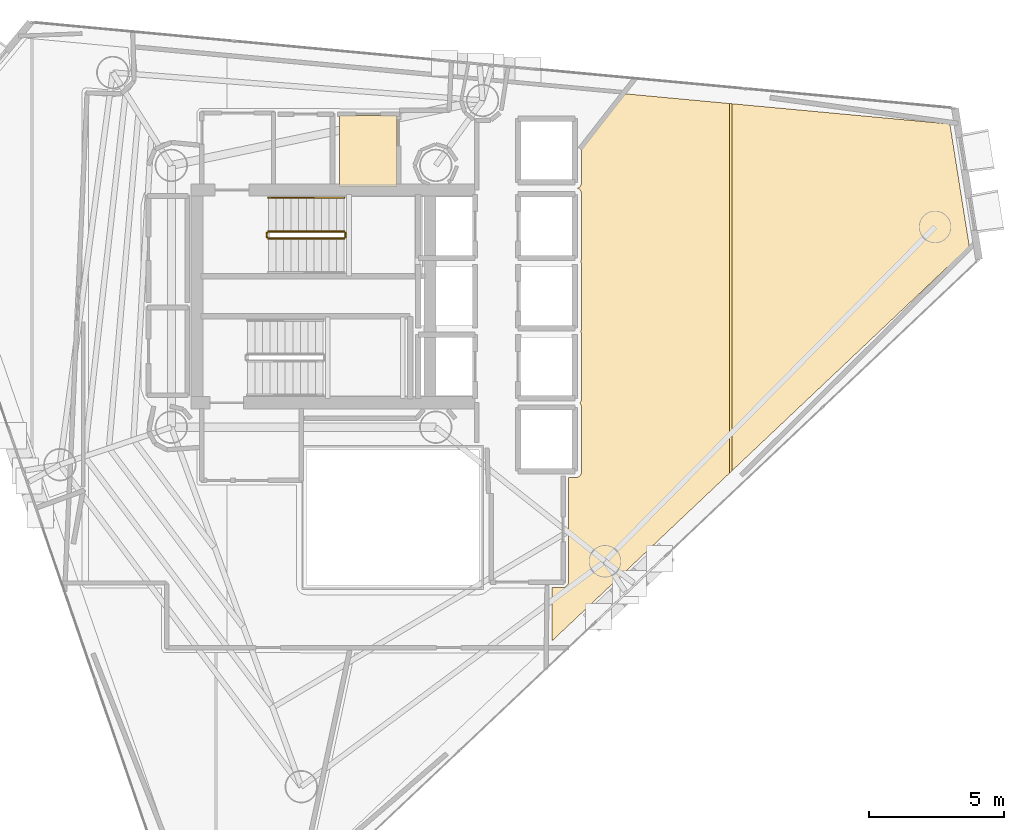
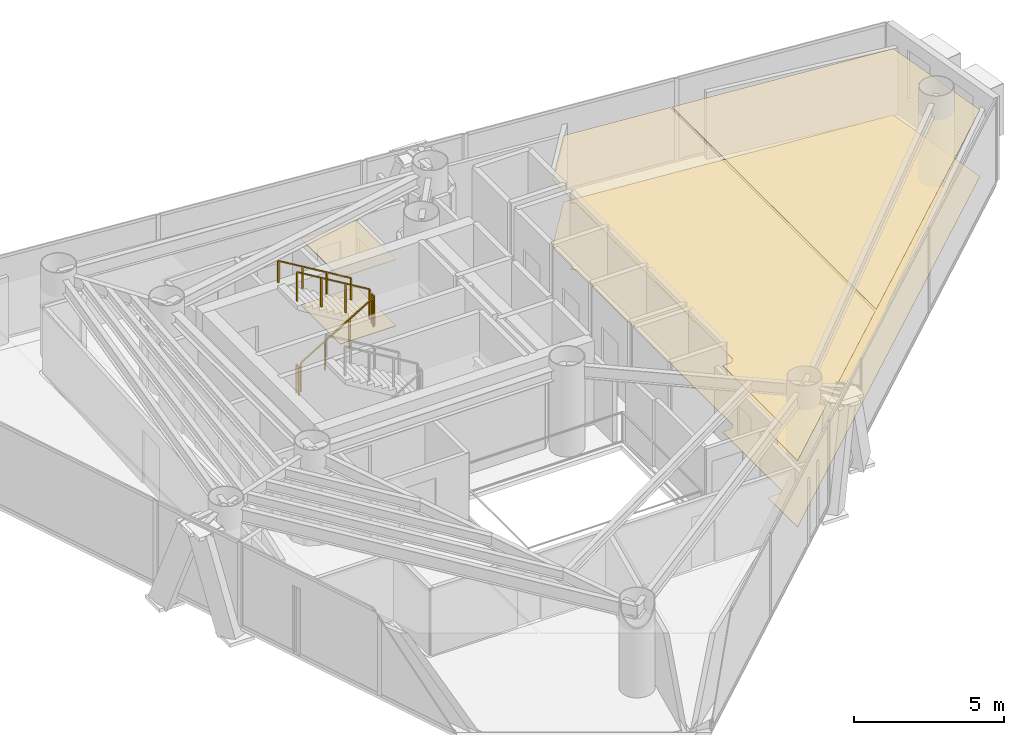
# One storey, part 20 of 20: 5 coverings, 5 railings.
"""IFC4 building model written with IfcOpenShell, lengths in metres."""

from ifc_helpers import new_model, si_unit, direction, frame, origin, origin_2d, place, context, subcontext, project, spatial, polyline, rectangle, outline, extrude, material, layer, layer_set, type_object, element, save


model = new_model("IFC4")

# Units and contexts
model_context = context("Model", 3, precision=1e-05, world=origin(), true_north=direction((0.0, 1.0)))
body_context = subcontext(model_context, "Body", "Model", "MODEL_VIEW")
ifc_project = project(units=[si_unit("LENGTHUNIT", "METRE"), si_unit("AREAUNIT", "SQUARE_METRE"), si_unit("VOLUMEUNIT", "CUBIC_METRE"), si_unit("PLANEANGLEUNIT", "RADIAN"), si_unit("MASSUNIT", "GRAM", prefix="KILO")], contexts=[model_context])

# Site, building, storey
site_placement = place(None, origin())
site = spatial("IfcSite", under=ifc_project, at=site_placement, CompositionType="ELEMENT")
building_placement = place(site_placement, origin())
building = spatial("IfcBuilding", under=site, at=building_placement, Name="Qianvela Tower", CompositionType="ELEMENT")
storey_placement = place(building_placement, frame((0.0, 0.0, 226.199951171875)))
storey = spatial("IfcBuildingStorey", under=building, at=storey_placement, Name="L58", CompositionType="ELEMENT", Elevation=226.199951171875)

# Coverings
ifc_material_1 = material(Name="Perforated Mineral Acoustic Ceiling Tile")
ifc_layer_1 = layer(ifc_material_1, 0.02490234375)
ifc_layer_set_1 = layer_set([ifc_layer_1], Name="Perforated Mineral Acoustic Ceiling Tile")
covering_type_1 = type_object("IfcCoveringType", Name="COV-CEIL-ACOUSTIC-25", PredefinedType="CEILING", material=ifc_layer_set_1)
covering_1_placement = place(storey_placement, frame((0.0, 0.0, 2.695068359375)))
element("IfcCovering", 1, at=covering_1_placement, inside=storey, type_object=covering_type_1, Name="L58 Acoustic Ceiling L58 Core Tea Pantry", PredefinedType="CEILING", context=body_context, shape_type="SweptSolid", body=[
    extrude(outline(polyline([(36.969970703125, 32.760009765625), (34.830078125, 32.760009765625), (34.830078125, 35.39990234375), (36.969970703125, 35.39990234375), (36.969970703125, 32.760009765625)])), origin(), (0.0, 0.0, 1.0), 0.02490234375),
])
covering_2_placement = place(storey_placement, frame((0.0, 0.0, 2.695068359375)))
element("IfcCovering", 2, at=covering_2_placement, inside=storey, type_object=covering_type_1, Name="L58 Acoustic Ceiling Bay 1 Student Tea Pantry L58-03", PredefinedType="CEILING", context=body_context, shape_type="SweptSolid", body=[
    extrude(outline(polyline([(42.70751953125, 17.920166015625), (43.157958984375, 17.92041015625), (43.165771484375, 17.9208984375), (43.173583984375, 17.921875), (43.18115234375, 17.923828125), (43.1884765625, 17.926513671875), (43.195556640625, 17.9296875), (43.202392578125, 17.933837890625), (43.20849609375, 17.9384765625), (43.21435546875, 17.94384765625), (43.2861328125, 18.015625), (43.29150390625, 18.021484375), (43.296142578125, 18.027587890625), (43.30029296875, 18.034423828125), (43.303466796875, 18.04150390625), (43.30615234375, 18.048828125), (43.30810546875, 18.056640625), (43.30908203125, 18.064208984375), (43.3095703125, 18.072265625), (43.309326171875, 21.980712890625), (43.60791015625, 21.982666015625), (43.615478515625, 21.983154296875), (43.623291015625, 21.984375), (43.630859375, 21.986083984375), (43.637939453125, 21.98876953125), (43.64501953125, 21.9921875), (43.716796875, 22.030517578125), (43.723388671875, 22.034423828125), (43.729736328125, 22.039306640625), (43.735595703125, 22.04443359375), (43.74072265625, 22.05029296875), (43.74560546875, 22.056640625), (43.74951171875, 22.063232421875), (43.787841796875, 22.135009765625), (43.791259765625, 22.14208984375), (43.7939453125, 22.1494140625), (43.7958984375, 22.156982421875), (43.796875, 22.164794921875), (43.79736328125, 22.172607421875), (43.79931640625, 24.61376953125), (43.799072265625, 24.62060546875), (43.798095703125, 24.627685546875), (43.79638671875, 24.634765625), (43.79443359375, 24.641357421875), (43.79150390625, 24.64794921875), (43.751220703125, 24.733154296875), (43.74755859375, 24.739990234375), (43.743408203125, 24.74658203125), (43.738525390625, 24.752197265625), (43.780517578125, 24.81494140625), (43.784423828125, 24.821533203125), (43.787841796875, 24.82861328125), (43.79052734375, 24.8359375), (43.79248046875, 24.843505859375), (43.793701171875, 24.851318359375), (43.7939453125, 24.859130859375), (43.800048828125, 27.2998046875), (43.799560546875, 27.307861328125), (43.79833984375, 27.315673828125), (43.79638671875, 27.323486328125), (43.793701171875, 27.3310546875), (43.7646484375, 27.39990234375), (43.793701171875, 27.468994140625), (43.79638671875, 27.476318359375), (43.79833984375, 27.484130859375), (43.799560546875, 27.491943359375), (43.800048828125, 27.5), (43.800048828125, 29.89990234375), (43.799560546875, 29.907958984375), (43.79833984375, 29.915771484375), (43.79638671875, 29.923583984375), (43.793701171875, 29.93115234375), (43.7646484375, 30.0), (43.793701171875, 30.06884765625), (43.79638671875, 30.076416015625), (43.79833984375, 30.084228515625), (43.799560546875, 30.092041015625), (43.800048828125, 30.10009765625), (43.79931640625, 32.513671875), (43.798828125, 32.522705078125), (43.79736328125, 32.53125), (43.794921875, 32.539794921875), (43.79150390625, 32.5478515625), (43.751220703125, 32.63330078125), (43.74755859375, 32.64013671875), (43.743408203125, 32.646728515625), (43.73828125, 32.652587890625), (43.732666015625, 32.658203125), (43.726806640625, 32.663330078125), (43.72021484375, 32.66748046875), (43.713134765625, 32.67138671875), (43.646484375, 32.702880859375), (43.722412109375, 32.739013671875), (43.729248046875, 32.74267578125), (43.73583984375, 32.746826171875), (43.741943359375, 32.751953125), (43.74755859375, 32.757568359375), (43.75244140625, 32.763427734375), (43.7568359375, 32.77001953125), (43.760498046875, 32.777099609375), (43.763427734375, 32.7841796875), (43.79541015625, 32.873046875), (43.7978515625, 32.8818359375), (43.799560546875, 32.890869140625), (43.800048828125, 32.89990234375), (43.800048828125, 34.15771484375), (45.399169921875, 36.20458984375), (49.289794921875, 35.8427734375), (49.289794921875, 22.156982421875), (42.709716796875, 15.93603515625), (42.70751953125, 17.920166015625)])), origin(), (0.0, 0.0, 1.0), 0.02490234375),
])
covering_3_placement = place(storey_placement, frame((0.0, 0.0, 2.695068359375)))
element("IfcCovering", 3, at=covering_3_placement, inside=storey, type_object=covering_type_1, Name="L58 Acoustic Ceiling Bay 2 Student Tea Pantry L58-03", PredefinedType="CEILING", context=body_context, shape_type="SweptSolid", body=[
    extrude(outline(polyline([(57.447021484375, 35.083984375), (58.16650390625, 30.54931640625), (49.369873046875, 22.232666015625), (49.369873046875, 35.835205078125), (57.447021484375, 35.083984375)])), origin(), (0.0, 0.0, 1.0), 0.02490234375),
])
ifc_material_2 = material(Name="Engineered Acoustic Oak Timber Flooring", Category="wood")
ifc_layer_2 = layer(ifc_material_2, 0.02001953125)
ifc_layer_set_2 = layer_set([ifc_layer_2], Name="Engineered Acoustic Oak Timber Flooring")
covering_type_2 = type_object("IfcCoveringType", Name="COV-FLOOR-OAK-20", PredefinedType="FLOORING", material=ifc_layer_set_2)
covering_4_placement = place(storey_placement, origin())
element("IfcCovering", 4, at=covering_4_placement, inside=storey, type_object=covering_type_2, Name="L58 Finish Flooring L58 Core Tea Pantry", PredefinedType="FLOORING", context=body_context, shape_type="SweptSolid", body=[
    extrude(outline(polyline([(36.969970703125, 32.760009765625), (34.830078125, 32.760009765625), (34.830078125, 35.39990234375), (36.969970703125, 35.39990234375), (36.969970703125, 32.760009765625)])), origin(), (0.0, 0.0, 1.0), 0.02001953125),
])
covering_5_placement = place(storey_placement, origin())
element("IfcCovering", 5, at=covering_5_placement, inside=storey, type_object=covering_type_2, Name="L58 Finish Flooring Student Tea Pantry L58-03", PredefinedType="FLOORING", context=body_context, shape_type="SweptSolid", body=[
    extrude(outline(polyline([(42.709716796875, 15.93603515625), (42.70751953125, 17.920166015625), (43.157958984375, 17.92041015625), (43.165771484375, 17.9208984375), (43.173583984375, 17.921875), (43.18115234375, 17.923828125), (43.1884765625, 17.926513671875), (43.195556640625, 17.9296875), (43.202392578125, 17.933837890625), (43.20849609375, 17.9384765625), (43.21435546875, 17.94384765625), (43.2861328125, 18.015625), (43.29150390625, 18.021484375), (43.296142578125, 18.027587890625), (43.30029296875, 18.034423828125), (43.303466796875, 18.04150390625), (43.30615234375, 18.048828125), (43.30810546875, 18.056640625), (43.30908203125, 18.064208984375), (43.3095703125, 18.072265625), (43.309326171875, 21.980712890625), (43.60791015625, 21.982666015625), (43.615478515625, 21.983154296875), (43.623291015625, 21.984375), (43.630859375, 21.986083984375), (43.637939453125, 21.98876953125), (43.64501953125, 21.9921875), (43.716796875, 22.030517578125), (43.723388671875, 22.034423828125), (43.729736328125, 22.039306640625), (43.735595703125, 22.04443359375), (43.74072265625, 22.05029296875), (43.74560546875, 22.056640625), (43.74951171875, 22.063232421875), (43.787841796875, 22.135009765625), (43.791259765625, 22.14208984375), (43.7939453125, 22.1494140625), (43.7958984375, 22.156982421875), (43.796875, 22.164794921875), (43.79736328125, 22.172607421875), (43.79931640625, 24.61376953125), (43.799072265625, 24.62060546875), (43.798095703125, 24.627685546875), (43.79638671875, 24.634765625), (43.79443359375, 24.641357421875), (43.79150390625, 24.64794921875), (43.751220703125, 24.733154296875), (43.74755859375, 24.739990234375), (43.743408203125, 24.74658203125), (43.738525390625, 24.752197265625), (43.780517578125, 24.81494140625), (43.784423828125, 24.821533203125), (43.787841796875, 24.82861328125), (43.79052734375, 24.8359375), (43.79248046875, 24.843505859375), (43.793701171875, 24.851318359375), (43.7939453125, 24.859130859375), (43.800048828125, 27.2998046875), (43.799560546875, 27.307861328125), (43.79833984375, 27.315673828125), (43.79638671875, 27.323486328125), (43.793701171875, 27.3310546875), (43.7646484375, 27.39990234375), (43.793701171875, 27.468994140625), (43.79638671875, 27.476318359375), (43.79833984375, 27.484130859375), (43.799560546875, 27.491943359375), (43.800048828125, 27.5), (43.800048828125, 29.89990234375), (43.799560546875, 29.907958984375), (43.79833984375, 29.915771484375), (43.79638671875, 29.923583984375), (43.793701171875, 29.93115234375), (43.7646484375, 30.0), (43.793701171875, 30.06884765625), (43.79638671875, 30.076416015625), (43.79833984375, 30.084228515625), (43.799560546875, 30.092041015625), (43.800048828125, 30.10009765625), (43.79931640625, 32.513671875), (43.798828125, 32.522705078125), (43.79736328125, 32.53125), (43.794921875, 32.539794921875), (43.79150390625, 32.5478515625), (43.751220703125, 32.63330078125), (43.74755859375, 32.64013671875), (43.743408203125, 32.646728515625), (43.73828125, 32.652587890625), (43.732666015625, 32.658203125), (43.726806640625, 32.663330078125), (43.72021484375, 32.66748046875), (43.713134765625, 32.67138671875), (43.646484375, 32.702880859375), (43.722412109375, 32.739013671875), (43.729248046875, 32.74267578125), (43.73583984375, 32.746826171875), (43.741943359375, 32.751953125), (43.74755859375, 32.757568359375), (43.75244140625, 32.763427734375), (43.7568359375, 32.77001953125), (43.760498046875, 32.777099609375), (43.763427734375, 32.7841796875), (43.79541015625, 32.873046875), (43.7978515625, 32.8818359375), (43.799560546875, 32.890869140625), (43.800048828125, 32.89990234375), (43.800048828125, 34.15771484375), (45.399169921875, 36.20458984375), (57.447021484375, 35.083984375), (58.16650390625, 30.54931640625), (42.709716796875, 15.93603515625)])), origin(), (0.0, 0.0, 1.0), 0.02001953125),
])

# Railings
ifc_material_3 = material(Name="Painted Tubular Steel Q355B", Category="steel")
railing_type_1 = type_object("IfcRailingType", Name="RL-STAIR-GUARD-1200", PredefinedType="GUARDRAIL", material=ifc_material_3)
railing_1_placement = place(storey_placement, frame((32.199951171875, 30.840087890625, 0.168212890625)))
element("IfcRailing", 6, at=railing_1_placement, inside=storey, type_object=railing_type_1, Name="L58 ST-1 stair guard 1", PredefinedType="GUARDRAIL", context=body_context, shape_type="SweptSolid", body=[
    extrude(rectangle(XDim=0.050048828125, YDim=0.0400390625, at=origin_2d()), frame((0.0, 0.0, 1.179931640625), z_axis=(0.857242210791, 0.0, 0.514913383045), x_axis=(0.0, 1.0, 0.0)), (0.0, 0.0, 1.0), 3.266357421875),
    extrude(rectangle(XDim=0.050048828125, YDim=0.050048828125, at=origin_2d()), origin(), (0.0, 0.0, 1.0), 1.159912109375),
    extrude(rectangle(XDim=0.050048828125, YDim=0.050048828125, at=origin_2d()), frame((0.933349609375, 0.0, 0.560546875)), (0.0, 0.0, 1.0), 1.159912109375),
    extrude(rectangle(XDim=0.050048828125, YDim=0.050048828125, at=origin_2d()), frame((1.86669921875, 0.0, 1.121337890625)), (0.0, 0.0, 1.0), 1.159912109375),
    extrude(rectangle(XDim=0.050048828125, YDim=0.050048828125, at=origin_2d()), frame((2.800048828125, 0.0, 1.681884765625)), (0.0, 0.0, 1.0), 1.159912109375),
])
railing_2_placement = place(storey_placement, frame((35.050048828125, 30.889892578125, 1.85009765625)))
element("IfcRailing", 7, at=railing_2_placement, inside=storey, type_object=railing_type_1, Name="L58 ST-1 stair guard 2", PredefinedType="GUARDRAIL", context=body_context, shape_type="SweptSolid", body=[
    extrude(rectangle(XDim=0.050048828125, YDim=0.0400390625, at=origin_2d()), frame((0.0, 0.0, 1.179931640625), z_axis=(0.0, 1.0, 0.0), x_axis=(-1.0, 0.0, 0.0)), (0.0, 0.0, 1.0), 0.16015625),
    extrude(rectangle(XDim=0.050048828125, YDim=0.050048828125, at=origin_2d()), origin(), (0.0, 0.0, 1.0), 1.159912109375),
    extrude(rectangle(XDim=0.050048828125, YDim=0.050048828125, at=origin_2d()), frame((0.0, 0.16015625, 0.0)), (0.0, 0.0, 1.0), 1.159912109375),
])
railing_3_placement = place(storey_placement, frame((35.0, 31.10009765625, 2.018310546875)))
element("IfcRailing", 8, at=railing_3_placement, inside=storey, type_object=railing_type_1, Name="L58 ST-1 stair guard 3", PredefinedType="GUARDRAIL", context=body_context, shape_type="SweptSolid", body=[
    extrude(rectangle(XDim=0.050048828125, YDim=0.0400390625, at=origin_2d()), frame((0.0, 0.0, 1.179931640625), z_axis=(-0.857275202839, 0.0, 0.514858452973), x_axis=(0.0, -1.0, 0.0)), (0.0, 0.0, 1.0), 3.26611328125),
    extrude(rectangle(XDim=0.050048828125, YDim=0.050048828125, at=origin_2d()), origin(), (0.0, 0.0, 1.0), 1.159912109375),
    extrude(rectangle(XDim=0.050048828125, YDim=0.050048828125, at=origin_2d()), frame((-0.933349609375, 0.0, 0.560546875)), (0.0, 0.0, 1.0), 1.159912109375),
    extrude(rectangle(XDim=0.050048828125, YDim=0.050048828125, at=origin_2d()), frame((-1.86669921875, 0.0, 1.12109375)), (0.0, 0.0, 1.0), 1.159912109375),
    extrude(rectangle(XDim=0.050048828125, YDim=0.050048828125, at=origin_2d()), frame((-2.800048828125, 0.0, 1.681640625)), (0.0, 0.0, 1.0), 1.159912109375),
])
railing_4_placement = place(storey_placement, frame((32.14990234375, 30.889892578125, 0.0)))
element("IfcRailing", 9, at=railing_4_placement, inside=storey, type_object=railing_type_1, Name="L58 ST-1 stair guard 4", PredefinedType="GUARDRAIL", context=body_context, shape_type="SweptSolid", body=[
    extrude(rectangle(XDim=0.050048828125, YDim=0.0400390625, at=origin_2d()), frame((0.0, 0.0, 1.179931640625), z_axis=(0.0, 1.0, 0.0), x_axis=(-1.0, 0.0, 0.0)), (0.0, 0.0, 1.0), 0.16015625),
    extrude(rectangle(XDim=0.050048828125, YDim=0.050048828125, at=origin_2d()), origin(), (0.0, 0.0, 1.0), 1.159912109375),
    extrude(rectangle(XDim=0.050048828125, YDim=0.050048828125, at=origin_2d()), frame((0.0, 0.16015625, 0.0)), (0.0, 0.0, 1.0), 1.159912109375),
])
ifc_material_4 = material(Name="Brushed Stainless Steel 304", Category="steel")
railing_type_2 = type_object("IfcRailingType", Name="RL-STAIR-HANDRAIL-900", PredefinedType="HANDRAIL", material=ifc_material_4)
railing_5_placement = place(storey_placement, frame((35.0, 32.35009765625, 2.018310546875)))
element("IfcRailing", 10, at=railing_5_placement, inside=storey, type_object=railing_type_2, Name="L58 ST-1 stair handrail 2", PredefinedType="HANDRAIL", context=body_context, shape_type="SweptSolid", body=[
    extrude(rectangle(XDim=0.050048828125, YDim=0.0400390625, at=origin_2d()), frame((0.0, 0.0, 0.8798828125), z_axis=(-0.857275202839, 0.0, 0.514858452973), x_axis=(0.0, -1.0, 0.0)), (0.0, 0.0, 1.0), 3.26611328125),
    extrude(rectangle(XDim=0.050048828125, YDim=0.050048828125, at=origin_2d()), origin(), (0.0, 0.0, 1.0), 0.85986328125),
    extrude(rectangle(XDim=0.050048828125, YDim=0.050048828125, at=origin_2d()), frame((-0.933349609375, 0.0, 0.560546875)), (0.0, 0.0, 1.0), 0.85986328125),
    extrude(rectangle(XDim=0.050048828125, YDim=0.050048828125, at=origin_2d()), frame((-1.86669921875, 0.0, 1.12109375)), (0.0, 0.0, 1.0), 0.85986328125),
    extrude(rectangle(XDim=0.050048828125, YDim=0.050048828125, at=origin_2d()), frame((-2.800048828125, 0.0, 1.681640625)), (0.0, 0.0, 1.0), 0.85986328125),
])

save(model, "model.ifc")
